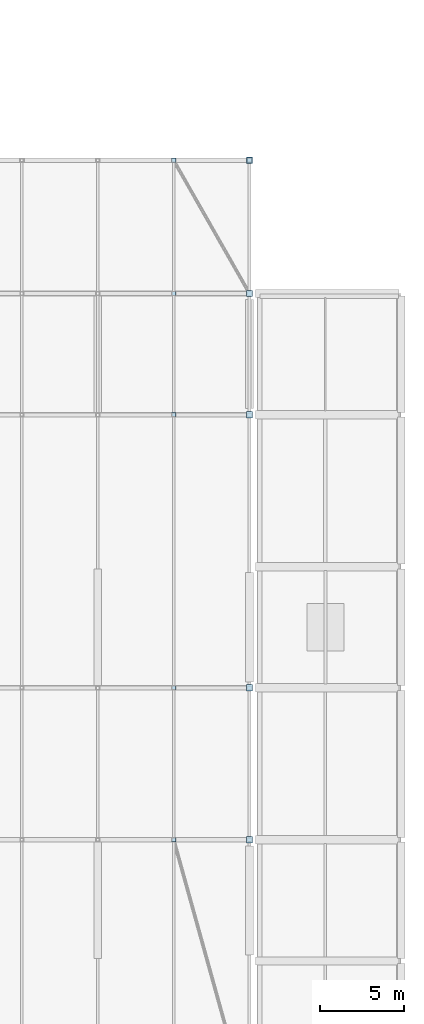
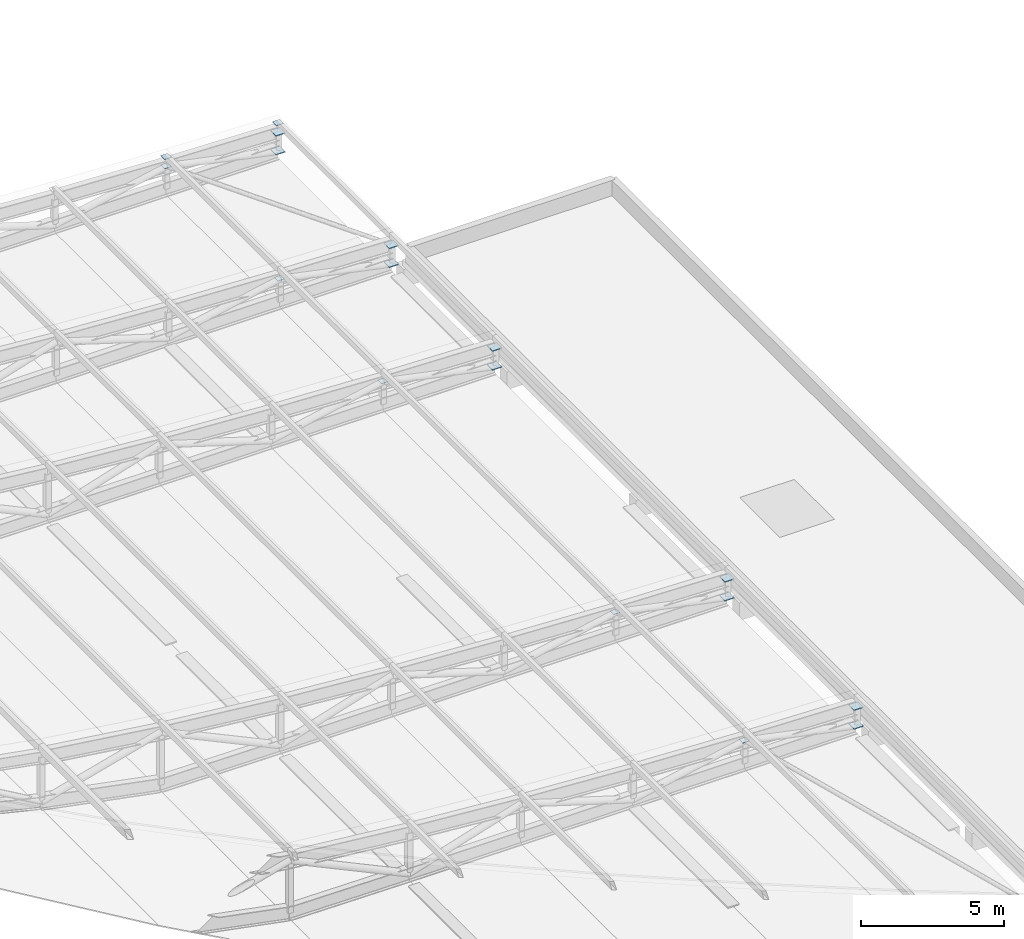
# One storey, part 100 of 114: 17 plates.
"""IFC4 building model written with IfcOpenShell, lengths in metres."""

from ifc_helpers import new_model, si_unit, direction, frame, origin, origin_2d, place, context, subcontext, project, spatial, rectangle, extrude, material, layer, layer_set, type_object, element, save


model = new_model("IFC4")

# Units and contexts
model_context = context("Model", 3, precision=1e-05, world=origin(), true_north=direction((0.0, 1.0)))
body_context = subcontext(model_context, "Body", "Model", "MODEL_VIEW")
ifc_project = project(units=[si_unit("LENGTHUNIT", "METRE"), si_unit("AREAUNIT", "SQUARE_METRE"), si_unit("VOLUMEUNIT", "CUBIC_METRE"), si_unit("PLANEANGLEUNIT", "RADIAN"), si_unit("MASSUNIT", "GRAM", prefix="KILO"), si_unit("THERMODYNAMICTEMPERATUREUNIT", "KELVIN"), si_unit("POWERUNIT", "WATT")], contexts=[model_context])

# Site, building, storey
site_placement = place(None, origin())
site = spatial("IfcSite", under=ifc_project, at=site_placement, CompositionType="ELEMENT")
building_placement = place(site_placement, origin())
building = spatial("IfcBuilding", under=site, at=building_placement, Name="Sindhuravela Promenade Stadium", CompositionType="ELEMENT")
storey_placement = place(building_placement, frame((0.0, 0.0, 24.0)))
storey = spatial("IfcBuildingStorey", under=building, at=storey_placement, Name="L05", CompositionType="ELEMENT", Elevation=24.0)

# Plates
ifc_material = material(Name="Steel E350 (IS 2062 E350BR)", Category="steel")
ifc_layer_1 = layer(ifc_material, 0.02392578125)
ifc_layer_set_1 = layer_set([ifc_layer_1], Name="Steel E350 (IS 2062 E350BR)")
plate_type_1 = type_object("IfcPlateType", Name="ST-PL-CAP24", PredefinedType="USERDEFINED", material=ifc_layer_set_1)
for number, where, z_axis, x_axis, name in (
    (1, (193.5, 84.60009765625, 0.918701171875), (0.0, 0.0, 1.0), (1.0, 0.0, 0.0), "Brace end cap plate CP01 E-48"),
    (2, (198.0, 124.89990234375, 1.179931640625), (0.0, 0.0, 1.0), (1.0, 0.0, 0.0), "Purlin end cap plate CP01 E-50"),
    (3, (193.5, 124.89990234375, 1.310791015625), (0.0, 0.0, 1.0), (1.0, 0.0, 0.0), "Purlin end cap plate CP01 E-51"),
    (4, (193.5, 124.89990234375, 0.918701171875), (0.0, 0.0, 1.0), (1.0, 0.0, 0.0), "Brace end cap plate CP01 E-59"),
):
    element("IfcPlate", number, at=place(storey_placement, frame(where, z_axis=z_axis, x_axis=x_axis)), inside=storey, type_object=plate_type_1, Name=name, ObjectType="GUSSET PLATE", PredefinedType="USERDEFINED", context=body_context, shape_type="SweptSolid", body=[
        extrude(rectangle(XDim=0.280029296875, YDim=0.280029296875, at=origin_2d()), origin(), (0.0, 0.0, 1.0), 0.02392578125),
    ])
for number, where, z_axis, x_axis, name in (
    (5, (193.5, 93.60009765625, 0.918701171875), (0.0, 0.0, 1.0), (1.0, 0.0, 0.0), "Brace end gusset plate CP01 BR-0101B"),
    (6, (193.5, 109.800048828125, 0.918701171875), (0.0, 0.0, 1.0), (1.0, 0.0, 0.0), "Brace end gusset plate CP01 BR-0108B"),
    (7, (193.5, 117.0, 0.918701171875), (0.0, 0.0, 1.0), (1.0, 0.0, 0.0), "Brace end gusset plate CP01 BR-0115B"),
):
    element("IfcPlate", number, at=place(storey_placement, frame(where, z_axis=z_axis, x_axis=x_axis)), inside=storey, type_object=plate_type_1, Name=name, ObjectType="GUSSET PLATE", PredefinedType="USERDEFINED", context=body_context, shape_type="SweptSolid", body=[
        extrude(rectangle(XDim=0.260009765625, YDim=0.260009765625, at=origin_2d()), origin(), (0.0, 0.0, 1.0), 0.02392578125),
    ])
ifc_layer_2 = layer(ifc_material, 0.033935546875)
ifc_layer_set_2 = layer_set([ifc_layer_2], Name="Steel E350 (IS 2062 E350BR)")
plate_type_2 = type_object("IfcPlateType", Name="ST-PL-CAP34", PredefinedType="USERDEFINED", material=ifc_layer_set_2)
for number, where, z_axis, x_axis, name in (
    (8, (198.0, 84.60009765625, 0.783203125), (0.0, 0.0, 1.0), (1.0, 0.0, 0.0), "Truss end gusset cap plate CP02 E05-1T"),
    (9, (198.0, 84.60009765625, -0.01708984375), (0.0, 0.0, 1.0), (1.0, 0.0, 0.0), "Truss end gusset cap plate CP02 E05-1B"),
    (10, (198.0, 93.60009765625, 0.783203125), (0.0, 0.0, 1.0), (1.0, 0.0, 0.0), "Truss end gusset cap plate CP02 E06-1T"),
    (11, (198.0, 93.60009765625, -0.01708984375), (0.0, 0.0, 1.0), (1.0, 0.0, 0.0), "Truss end gusset cap plate CP02 E06-1B"),
    (12, (198.0, 109.800048828125, 0.783203125), (0.0, 0.0, 1.0), (1.0, 0.0, 0.0), "Truss end gusset cap plate CP02 E07-1T"),
    (13, (198.0, 109.800048828125, -0.01708984375), (0.0, 0.0, 1.0), (1.0, 0.0, 0.0), "Truss end gusset cap plate CP02 E07-1B"),
    (14, (198.0, 117.0, 0.783203125), (0.0, 0.0, 1.0), (1.0, 0.0, 0.0), "Truss end gusset cap plate CP02 E08-1T"),
    (15, (198.0, 117.0, -0.01708984375), (0.0, 0.0, 1.0), (1.0, 0.0, 0.0), "Truss end gusset cap plate CP02 E08-1B"),
    (16, (198.0, 124.89990234375, 0.783203125), (0.0, 0.0, 1.0), (1.0, 0.0, 0.0), "Truss end gusset cap plate CP02 E09-1T"),
    (17, (198.0, 124.89990234375, -0.01708984375), (0.0, 0.0, 1.0), (1.0, 0.0, 0.0), "Truss end gusset cap plate CP02 E09-1B"),
):
    element("IfcPlate", number, at=place(storey_placement, frame(where, z_axis=z_axis, x_axis=x_axis)), inside=storey, type_object=plate_type_2, Name=name, ObjectType="GUSSET PLATE", PredefinedType="USERDEFINED", context=body_context, shape_type="SweptSolid", body=[
        extrude(rectangle(XDim=0.3798828125, YDim=0.3798828125, at=origin_2d()), origin(), (0.0, 0.0, 1.0), 0.033935546875),
    ])

save(model, "model.ifc")
